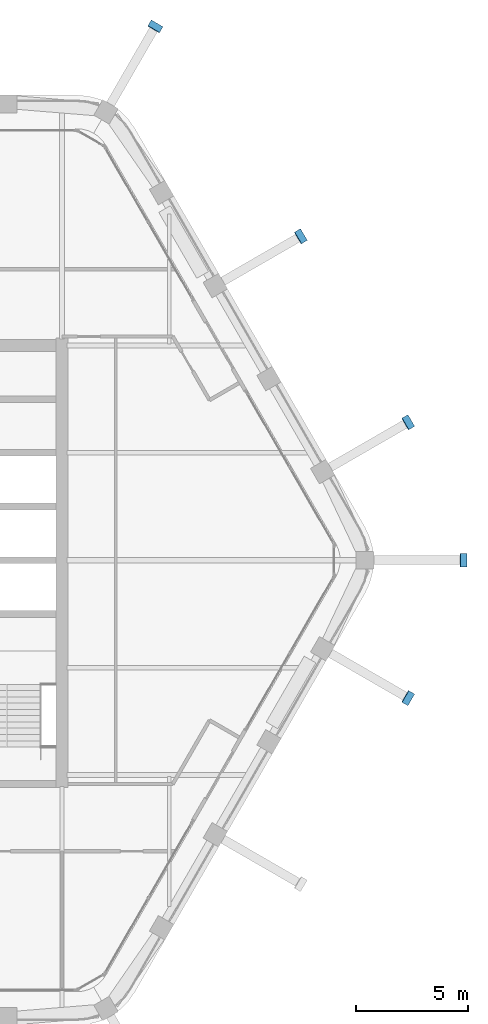
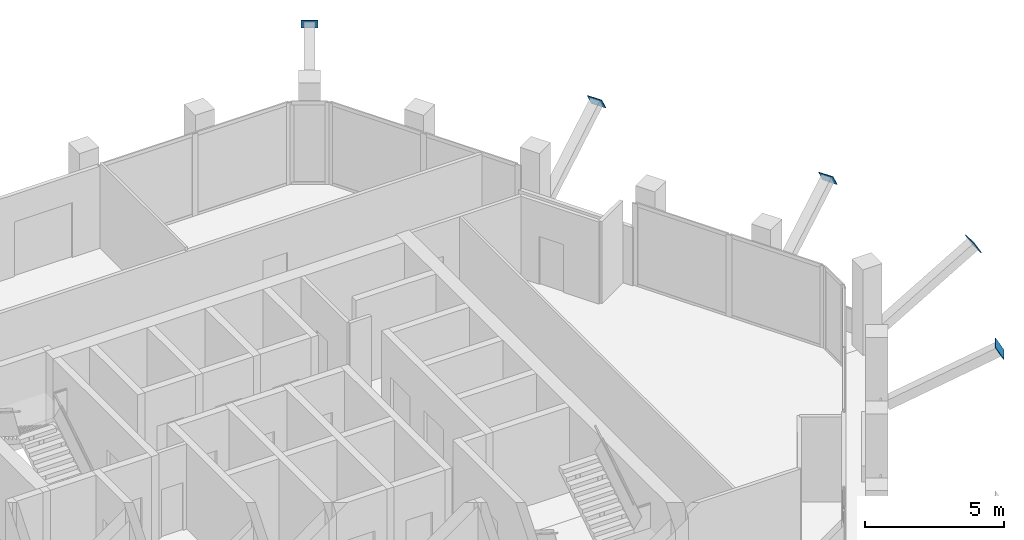
# One storey, part 12 of 14: 5 discrete accessories.
"""IFC4 building model written with IfcOpenShell, lengths in metres."""

from ifc_helpers import new_model, si_unit, direction, frame, origin, origin_2d, place, context, subcontext, project, spatial, rectangle, extrude, element, save


model = new_model("IFC4")

# Units and contexts
model_context = context("Model", 3, precision=1e-05, world=origin(), true_north=direction((0.0, 1.0)))
body_context = subcontext(model_context, "Body", "Model", "MODEL_VIEW")
ifc_project = project(units=[si_unit("LENGTHUNIT", "METRE"), si_unit("AREAUNIT", "SQUARE_METRE"), si_unit("VOLUMEUNIT", "CUBIC_METRE"), si_unit("PLANEANGLEUNIT", "RADIAN"), si_unit("MASSUNIT", "GRAM", prefix="KILO")], contexts=[model_context])

# Site, building, storey
site_placement = place(None, origin())
site = spatial("IfcSite", under=ifc_project, at=site_placement, CompositionType="ELEMENT")
building_placement = place(site_placement, origin())
building = spatial("IfcBuilding", under=site, at=building_placement, Name="Kolab Exchange Tower", CompositionType="ELEMENT")
storey_placement = place(building_placement, frame((0.0, 0.0, 281.300048828125)))
storey = spatial("IfcBuildingStorey", under=building, at=storey_placement, Name="L63", CompositionType="ELEMENT", Elevation=281.300048828125)

# Discrete accessories
discrete_accessory_1_placement = place(storey_placement, frame((13.767822265625, 23.8466796875, 2.968017578125), z_axis=(0.438009363767, 0.749482689112, 0.496410612269), x_axis=(-0.863371944127, 0.504568019295, 0.0)))
element("IfcDiscreteAccessory", 1, at=discrete_accessory_1_placement, inside=storey, Name="Gusset plate", ObjectType="GUSSET PLATE", PredefinedType="USERDEFINED", context=body_context, shape_type="SweptSolid", body=[
    extrude(rectangle(XDim=0.60009765625, YDim=0.60009765625, at=origin_2d()), origin(), (0.0, 0.0, 1.0), 0.025146484375),
])
for number, where, z_axis, x_axis, name in (
    (2, (20.26416015625, 14.470703125, 2.968017578125), (0.74516966604, 0.441218881208, 0.500048065369), (-0.509492006668, 0.860475389039, 0.0), "Gusset plate"),
    (3, (25.064208984375, 6.156982421875, 2.968017578125), (0.748378122874, 0.433271544822, 0.502201108771), (-0.501036270542, 0.865426285481, 0.0), "Gusset plate"),
):
    element("IfcDiscreteAccessory", number, at=place(storey_placement, frame(where, z_axis=z_axis, x_axis=x_axis)), inside=storey, Name=name, ObjectType="GUSSET PLATE", PredefinedType="USERDEFINED", context=body_context, shape_type="SweptSolid", body=[
        extrude(rectangle(XDim=0.60009765625, YDim=0.60009765625, at=origin_2d()), origin(), (0.0, 0.0, 1.0), 0.02490234375),
    ])
discrete_accessory_2_placement = place(storey_placement, frame((27.535888671875, 0.0, 2.968017578125), z_axis=(0.867642581652, 0.0, 0.497188445666), x_axis=(0.0, 1.0, 0.0)))
element("IfcDiscreteAccessory", 4, at=discrete_accessory_2_placement, inside=storey, Name="Gusset plate", ObjectType="GUSSET PLATE", PredefinedType="USERDEFINED", context=body_context, shape_type="SweptSolid", body=[
    extrude(rectangle(XDim=0.60009765625, YDim=0.60009765625, at=origin_2d()), origin(), (0.0, 0.0, 1.0), 0.025146484375),
])
discrete_accessory_3_placement = place(storey_placement, frame((25.064208984375, -6.156982421875, 2.968017578125), z_axis=(0.748378122874, -0.433271544822, 0.502201108771), x_axis=(0.501036270542, 0.865426285481, 0.0)))
element("IfcDiscreteAccessory", 5, at=discrete_accessory_3_placement, inside=storey, Name="Gusset plate", ObjectType="GUSSET PLATE", PredefinedType="USERDEFINED", context=body_context, shape_type="SweptSolid", body=[
    extrude(rectangle(XDim=0.60009765625, YDim=0.60009765625, at=origin_2d()), origin(), (0.0, 0.0, 1.0), 0.02490234375),
])

save(model, "model.ifc")
